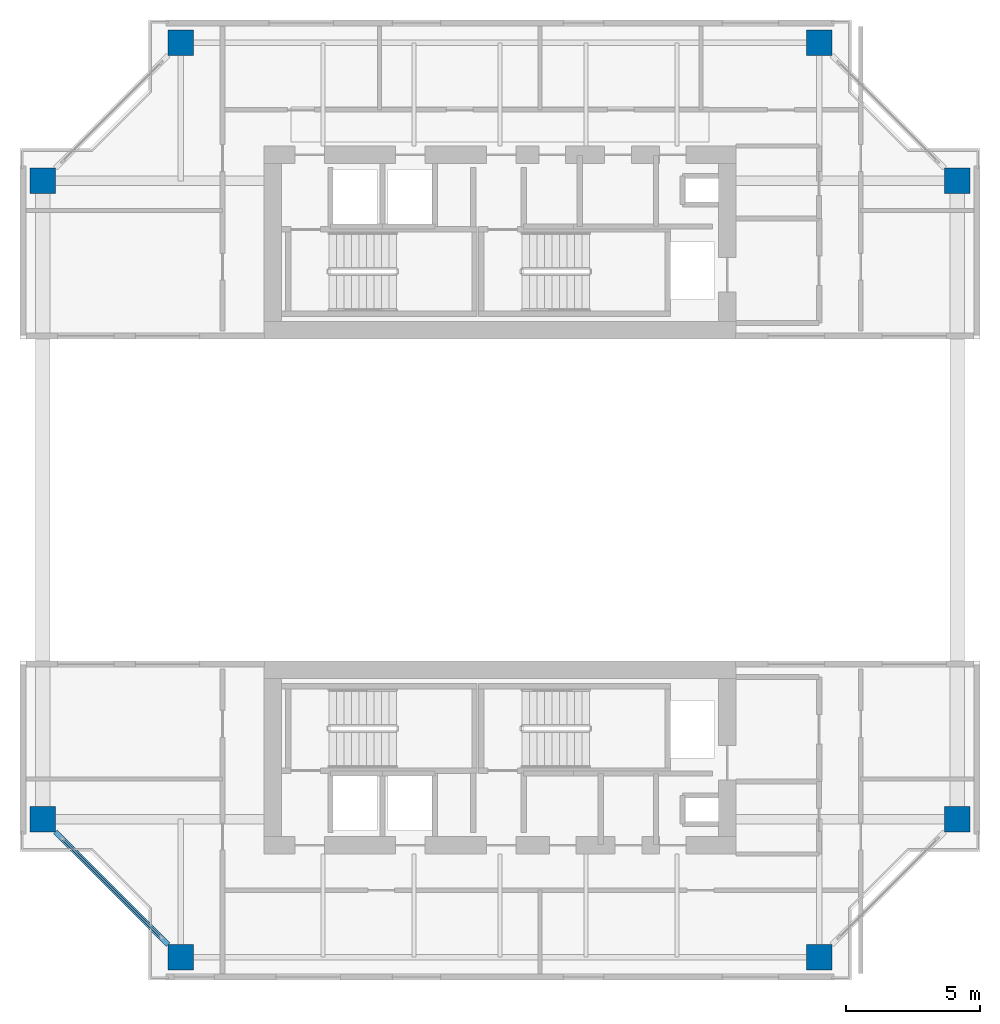
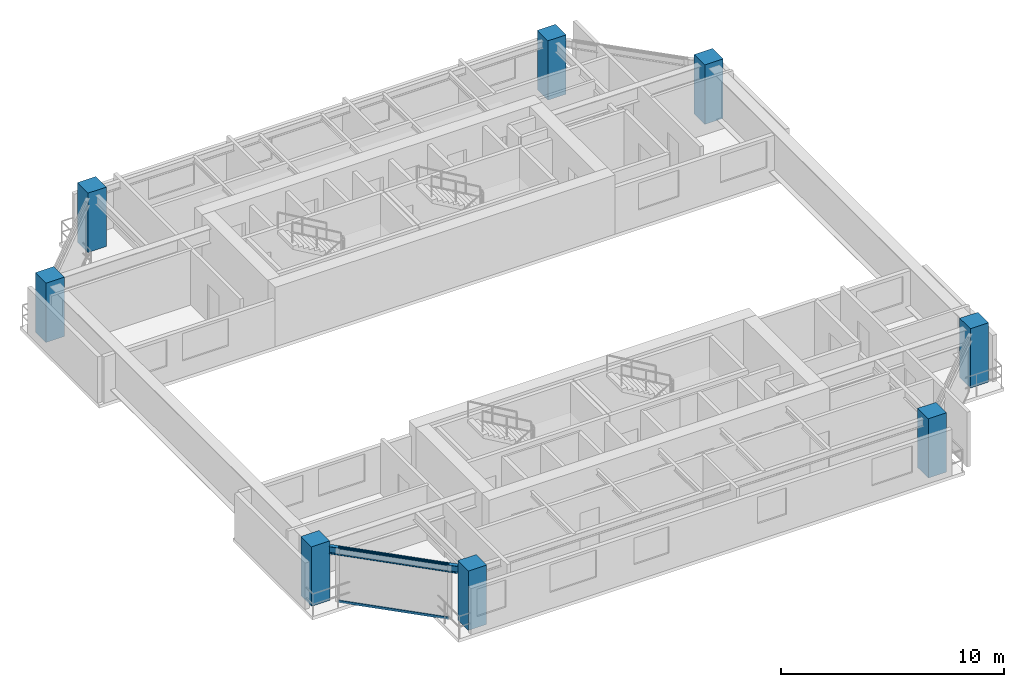
# One storey, part 1 of 12: 8 columns, 2 members, 1 beam, 1 element without a shape of its own.
"""IFC4 building model written with IfcOpenShell, lengths in metres."""

from ifc_helpers import new_model, si_unit, direction, frame, origin, origin_2d, place, context, subcontext, project, spatial, rectangle, i_section, extrude, source, transform, mapped, material, layer, layer_set, material_profile, profile_set, type_object, element, aggregate, save


model = new_model("IFC4")

# Units and contexts
model_context = context("Model", 3, precision=1e-05, world=origin(), true_north=direction((0.0, 1.0)))
body_context = subcontext(model_context, "Body", "Model", "MODEL_VIEW")
ifc_project = project(units=[si_unit("LENGTHUNIT", "METRE"), si_unit("AREAUNIT", "SQUARE_METRE"), si_unit("VOLUMEUNIT", "CUBIC_METRE"), si_unit("PLANEANGLEUNIT", "RADIAN"), si_unit("MASSUNIT", "GRAM", prefix="KILO"), si_unit("THERMODYNAMICTEMPERATUREUNIT", "KELVIN"), si_unit("POWERUNIT", "WATT")], contexts=[model_context])

# Site, building, storey
site_placement = place(None, origin())
site = spatial("IfcSite", under=ifc_project, at=site_placement, CompositionType="ELEMENT")
building_placement = place(site_placement, origin())
building = spatial("IfcBuilding", under=site, at=building_placement, Name="Qiaomeng Ring Towers", CompositionType="ELEMENT")
storey_placement = place(building_placement, frame((0.0, 0.0, 169.75)))
storey = spatial("IfcBuildingStorey", under=building, at=storey_placement, Name="L49", CompositionType="ELEMENT", Elevation=169.75)

# Columns
ifc_material_1 = material(Name="Concrete C50", Category="concrete")
ifc_material_profile_1 = material_profile(ifc_material_1, rectangle(XDim=0.949951171875, YDim=0.949951171875, at=origin_2d()), Name="RC COL 950x950")
ifc_profile_set_1 = profile_set([ifc_material_profile_1], Name="Concrete C50")
column_type = type_object("IfcColumnType", Name="STR-COL-950-C50", PredefinedType="COLUMN", material=ifc_profile_set_1)
shared_shape_1 = source(origin(), body_context, "Body", "SweptSolid", [
    extrude(rectangle(XDim=0.949951171875, YDim=0.949951171875, at=origin_2d()), origin(), (0.0, 0.0, 1.0), 3.25),
])
for number, where, z_axis, x_axis, name in (
    (1, (7.10009765625, 5.949951171875, 0.0), (0.0, 0.0, 1.0), (1.0, 0.0, 0.0), "L49 column STR-COL-L49-T1-S1"),
    (2, (30.89990234375, 5.949951171875, 0.0), (0.0, 0.0, 1.0), (1.0, 0.0, 0.0), "L49 column STR-COL-L49-T1-S2"),
    (3, (36.050048828125, 11.10009765625, 0.0), (0.0, 0.0, 1.0), (1.0, 0.0, 0.0), "L49 column STR-COL-L49-T1-E1"),
    (4, (36.050048828125, 34.89990234375, 0.0), (0.0, 0.0, 1.0), (1.0, 0.0, 0.0), "L49 column STR-COL-L49-T1-E4"),
    (5, (30.89990234375, 40.050048828125, 0.0), (0.0, 0.0, 1.0), (1.0, 0.0, 0.0), "L49 column STR-COL-L49-T1-N2"),
    (6, (7.10009765625, 40.050048828125, 0.0), (0.0, 0.0, 1.0), (1.0, 0.0, 0.0), "L49 column STR-COL-L49-T1-N1"),
    (7, (1.949951171875, 34.89990234375, 0.0), (0.0, 0.0, 1.0), (1.0, 0.0, 0.0), "L49 column STR-COL-L49-T1-W4"),
    (8, (1.949951171875, 11.10009765625, 0.0), (0.0, 0.0, 1.0), (1.0, 0.0, 0.0), "L49 column STR-COL-L49-T1-W1"),
):
    element("IfcColumn", number, at=place(storey_placement, frame(where, z_axis=z_axis, x_axis=x_axis)), inside=storey, type_object=column_type, Name=name, PredefinedType="COLUMN", context=body_context, shape_type="MappedRepresentation", body=[
        mapped(shared_shape_1, transform((0.0, 0.0, 0.0), x_axis=(1.0, 0.0, 0.0), y_axis=(0.0, 1.0, 0.0), z_axis=(0.0, 0.0, 1.0), scale=1.0)),
    ])

# Beam
ifc_material_2 = material(Name="Steel Q355B", Category="steel")
ifc_material_profile_2 = material_profile(ifc_material_2, i_section(OverallWidth=0.199951171875, OverallDepth=0.39990234375, WebThickness=0.008056640625, FlangeThickness=0.012939453125, FilletRadius=0.01611328125, at=origin_2d()), Name="HN 400x200x8x13")
ifc_profile_set_2 = profile_set([ifc_material_profile_2], Name="Steel Q355B")
beam_type = type_object("IfcBeamType", Name="STR-BM-HN400", PredefinedType="SPANDREL", material=ifc_profile_set_2)
shared_shape_2 = source(origin(), body_context, "Body", "SweptSolid", [
    extrude(i_section(OverallWidth=0.199951171875, OverallDepth=0.39990234375, WebThickness=0.008056640625, FlangeThickness=0.012939453125, FilletRadius=0.01611328125, at=origin_2d()), origin(), (0.0, 0.0, 1.0), 5.941650390625),
])
beam_placement = place(storey_placement, frame((2.42431640625, 10.625732421875, 2.800048828125), z_axis=(0.707106781187, -0.707106781187, 0.0), x_axis=(0.707106781187, 0.707106781187, 0.0)))
element("IfcBeam", 9, at=beam_placement, inside=storey, type_object=beam_type, Name="L49 beam STR-SP-L49-T1-W1-S1", PredefinedType="SPANDREL", context=body_context, shape_type="MappedRepresentation", body=[
    mapped(shared_shape_2, transform((0.0, 0.0, 0.0), x_axis=(1.0, 0.0, 0.0), y_axis=(0.0, 1.0, 0.0), z_axis=(0.0, 0.0, 1.0), scale=1.0)),
])

# Curtain wall, members
ifc_material_3 = material(Name="Fluorocarbon dark-grey aluminium", Category="aluminium")
ifc_layer = layer(ifc_material_3, 0.14990234375, Name="Fluorocarbon dark-grey aluminium")
ifc_layer_set = layer_set([ifc_layer], Name="Fluorocarbon dark-grey aluminium")
curtain_wall_type = type_object("IfcCurtainWallType", Name="ARC-CW-3", PredefinedType="NOTDEFINED", material=ifc_layer_set)
curtain_wall_placement = place(storey_placement, origin())
curtain_wall = element("IfcCurtainWall", 10, at=curtain_wall_placement, inside=storey, type_object=curtain_wall_type, Name="L49 Curtain Wall CW3", PredefinedType="NOTDEFINED")
ifc_material_profile_3 = material_profile(ifc_material_3, rectangle(XDim=0.06494140625, YDim=0.1298828125, at=origin_2d()), Name="ALU TRAN 65x130")
ifc_profile_set_3 = profile_set([ifc_material_profile_3], Name="Fluorocarbon dark-grey aluminium")
member_type = type_object("IfcMemberType", Name="ARC-CWT-120", PredefinedType="USERDEFINED", material=ifc_profile_set_3)
shared_shape_3 = source(origin(), body_context, "Body", "SweptSolid", [
    extrude(rectangle(XDim=0.06494140625, YDim=0.1298828125, at=origin_2d()), origin(), (0.0, 0.0, 1.0), 5.12060546875),
])
member_1_placement = place(storey_placement, frame((2.714599609375, 10.33544921875, 0.032470703125), z_axis=(0.707106781187, -0.707106781187, 0.0), x_axis=(0.707106781187, 0.707106781187, 0.0)))
member_1 = element("IfcMember", 11, at=member_1_placement, type_object=member_type, Name="CW3 transom 1.1", ObjectType="TRANSOM", PredefinedType="USERDEFINED", context=body_context, shape_type="MappedRepresentation", body=[
    mapped(shared_shape_3, transform((0.0, 0.0, 0.0), x_axis=(1.0, 0.0, 0.0), y_axis=(0.0, 1.0, 0.0), z_axis=(0.0, 0.0, 1.0), scale=1.0)),
])
member_2_placement = place(storey_placement, frame((2.714599609375, 10.33544921875, 2.967529296875), z_axis=(0.707106781187, -0.707106781187, 0.0), x_axis=(0.707106781187, 0.707106781187, 0.0)))
member_2 = element("IfcMember", 12, at=member_2_placement, type_object=member_type, Name="CW3 transom 1.2", ObjectType="TRANSOM", PredefinedType="USERDEFINED", context=body_context, shape_type="MappedRepresentation", body=[
    mapped(shared_shape_3, transform((0.0, 0.0, 0.0), x_axis=(1.0, 0.0, 0.0), y_axis=(0.0, 1.0, 0.0), z_axis=(0.0, 0.0, 1.0), scale=1.0)),
])
aggregate(curtain_wall, [member_1, member_2])

save(model, "model.ifc")
